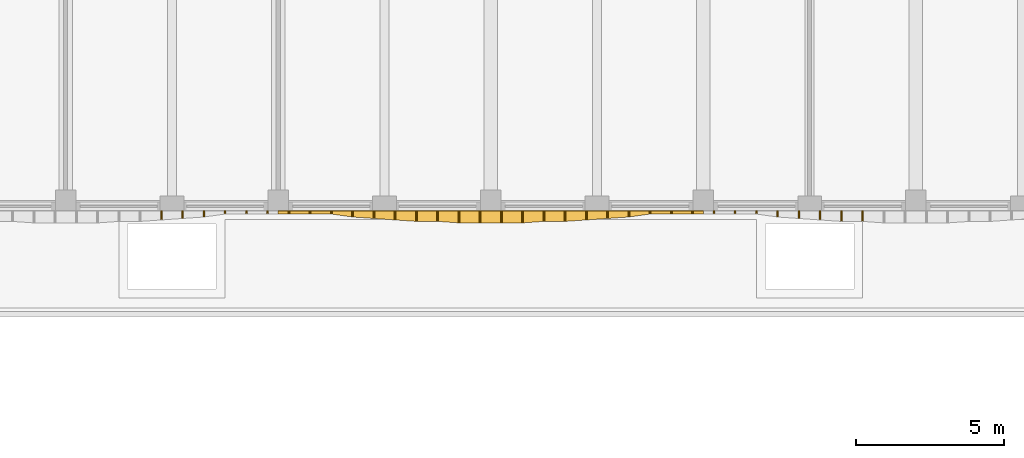
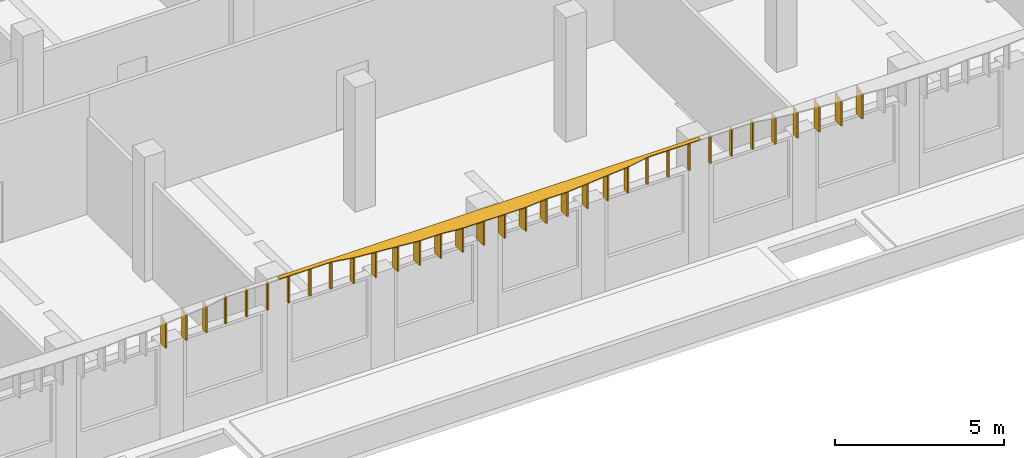
# One storey, part 48 of 59: 35 shading devices.
"""IFC4 building model written with IfcOpenShell, lengths in metres."""

from ifc_helpers import new_model, si_unit, direction, frame, origin, place, context, subcontext, project, spatial, polyline, outline, extrude, material, layer, layer_set, type_object, element, save


model = new_model("IFC4")

# Units and contexts
model_context = context("Model", 3, precision=1e-05, world=origin(), true_north=direction((0.0, 1.0)))
body_context = subcontext(model_context, "Body", "Model", "MODEL_VIEW")
ifc_project = project(units=[si_unit("LENGTHUNIT", "METRE"), si_unit("AREAUNIT", "SQUARE_METRE"), si_unit("VOLUMEUNIT", "CUBIC_METRE"), si_unit("PLANEANGLEUNIT", "RADIAN"), si_unit("MASSUNIT", "GRAM", prefix="KILO")], contexts=[model_context])

# Site, building, storey
site_placement = place(None, origin())
site = spatial("IfcSite", under=ifc_project, at=site_placement, CompositionType="ELEMENT")
building_placement = place(site_placement, origin())
building = spatial("IfcBuilding", under=site, at=building_placement, Name="Ussher Court Research Institute", CompositionType="ELEMENT")
storey_placement = place(building_placement, frame((0.0, 0.0, 5.39990234375)))
storey = spatial("IfcBuildingStorey", under=building, at=storey_placement, Name="L01", CompositionType="ELEMENT", Elevation=5.39990234375)

# Shading devices
ifc_material_1 = material(Name="Bronze anodised aluminium", Category="aluminium")
ifc_layer_1 = layer(ifc_material_1, 0.050048828125)
ifc_layer_set_1 = layer_set([ifc_layer_1], Name="Bronze anodised aluminium")
shading_device_type_1 = type_object("IfcShadingDeviceType", Name="Brim blade 100 mm deep 1000 mm high canted 20 deg dry", PredefinedType="USERDEFINED", material=ifc_layer_set_1)
for number, where, z_axis, x_axis, name in (
    (1, (55.199951171875, 68.39990234375, 3.4501953125), (0.0, 0.0, 1.0), (0.0, -1.0, 0.0), "Brim blade BS17 L01"),
    (2, (54.47998046875, 68.39990234375, 3.4501953125), (0.0, 0.0, 1.0), (0.0, -1.0, 0.0), "Brim blade BS17 L01"),
    (3, (53.760009765625, 68.39990234375, 3.4501953125), (0.0, 0.0, 1.0), (0.0, -1.0, 0.0), "Brim blade BS17 L01"),
    (4, (53.0400390625, 68.39990234375, 3.4501953125), (0.0, 0.0, 1.0), (0.0, -1.0, 0.0), "Brim blade BS17 L01"),
    (5, (52.320068359375, 68.39990234375, 3.4501953125), (0.0, 0.0, 1.0), (0.0, -1.0, 0.0), "Brim blade BS17 L01"),
    (6, (51.60009765625, 68.39990234375, 3.4501953125), (0.0, 0.0, 1.0), (0.0, -1.0, 0.0), "Brim blade BS17 L01"),
    (7, (40.800048828125, 68.39990234375, 3.4501953125), (0.0, 0.0, 1.0), (0.0, -1.0, 0.0), "Brim blade BS17 L01"),
    (8, (40.080078125, 68.39990234375, 3.4501953125), (0.0, 0.0, 1.0), (0.0, -1.0, 0.0), "Brim blade BS17 L01"),
    (9, (39.360107421875, 68.39990234375, 3.4501953125), (0.0, 0.0, 1.0), (0.0, -1.0, 0.0), "Brim blade BS17 L01"),
    (10, (38.639892578125, 68.39990234375, 3.4501953125), (0.0, 0.0, 1.0), (0.0, -1.0, 0.0), "Brim blade BS17 L01"),
    (11, (37.919921875, 68.39990234375, 3.4501953125), (0.0, 0.0, 1.0), (0.0, -1.0, 0.0), "Brim blade BS17 L01"),
    (12, (37.199951171875, 68.39990234375, 3.4501953125), (0.0, 0.0, 1.0), (0.0, -1.0, 0.0), "Brim blade BS17 L01"),
):
    element("IfcShadingDevice", number, at=place(storey_placement, frame(where, z_axis=z_axis, x_axis=x_axis)), inside=storey, type_object=shading_device_type_1, Name=name, ObjectType="BLADE", PredefinedType="USERDEFINED", context=body_context, shape_type="SweptSolid", body=[
        extrude(outline(polyline([(0.0, 0.0), (0.099853515625, 0.0), (0.10009765625, 0.963623046875), (0.0, 1.0), (0.0, 0.0)])), frame((0.0, 0.02490234375, 0.0), z_axis=(0.0, -1.0, 0.0), x_axis=(1.0, 0.0, 0.0)), (0.0, 0.0, 1.0), 0.050048828125),
    ])
ifc_material_2 = material(Name="Bronze anodised aluminium", Category="aluminium")
ifc_layer_2 = layer(ifc_material_2, 0.050048828125)
ifc_layer_set_2 = layer_set([ifc_layer_2], Name="Bronze anodised aluminium")
shading_device_type_2 = type_object("IfcShadingDeviceType", Name="Brim blade 200 mm deep 1000 mm high canted 20 deg dry", PredefinedType="USERDEFINED", material=ifc_layer_set_2)
for number, where, z_axis, x_axis, name in (
    (13, (55.919921875, 68.39990234375, 3.4501953125), (0.0, 0.0, 1.0), (0.0, -1.0, 0.0), "Brim blade BS15 L01"),
    (14, (50.8798828125, 68.39990234375, 3.4501953125), (0.0, 0.0, 1.0), (0.0, -1.0, 0.0), "Brim blade BS15 L01"),
    (15, (41.52001953125, 68.39990234375, 3.4501953125), (0.0, 0.0, 1.0), (0.0, -1.0, 0.0), "Brim blade BS15 L01"),
    (16, (36.47998046875, 68.39990234375, 3.4501953125), (0.0, 0.0, 1.0), (0.0, -1.0, 0.0), "Brim blade BS15 L01"),
):
    element("IfcShadingDevice", number, at=place(storey_placement, frame(where, z_axis=z_axis, x_axis=x_axis)), inside=storey, type_object=shading_device_type_2, Name=name, ObjectType="BLADE", PredefinedType="USERDEFINED", context=body_context, shape_type="SweptSolid", body=[
        extrude(outline(polyline([(0.0, 0.0), (0.199951171875, 0.0), (0.199951171875, 0.927001953125), (0.0, 1.0), (0.0, 0.0)])), frame((0.0, 0.02490234375, 0.0), z_axis=(0.0, -1.0, 0.0), x_axis=(1.0, 0.0, 0.0)), (0.0, 0.0, 1.0), 0.050048828125),
    ])
ifc_material_3 = material(Name="Bronze anodised aluminium", Category="aluminium")
ifc_layer_3 = layer(ifc_material_3, 0.050048828125)
ifc_layer_set_3 = layer_set([ifc_layer_3], Name="Bronze anodised aluminium")
shading_device_type_3 = type_object("IfcShadingDeviceType", Name="Brim blade 250 mm deep 1000 mm high canted 20 deg dry", PredefinedType="USERDEFINED", material=ifc_layer_set_3)
for number, where, z_axis, x_axis, name in (
    (17, (56.639892578125, 68.39990234375, 3.4501953125), (0.0, 0.0, 1.0), (0.0, -1.0, 0.0), "Brim blade BS14 L01"),
    (18, (50.159912109375, 68.39990234375, 3.4501953125), (0.0, 0.0, 1.0), (0.0, -1.0, 0.0), "Brim blade BS14 L01"),
    (19, (42.239990234375, 68.39990234375, 3.4501953125), (0.0, 0.0, 1.0), (0.0, -1.0, 0.0), "Brim blade BS14 L01"),
    (20, (35.760009765625, 68.39990234375, 3.4501953125), (0.0, 0.0, 1.0), (0.0, -1.0, 0.0), "Brim blade BS14 L01"),
):
    element("IfcShadingDevice", number, at=place(storey_placement, frame(where, z_axis=z_axis, x_axis=x_axis)), inside=storey, type_object=shading_device_type_3, Name=name, ObjectType="BLADE", PredefinedType="USERDEFINED", context=body_context, shape_type="SweptSolid", body=[
        extrude(outline(polyline([(0.0, 0.0), (0.25, 0.0), (0.25, 0.908935546875), (0.0, 1.0), (0.0, 0.0)])), frame((0.0, 0.02490234375, 0.0), z_axis=(0.0, -1.0, 0.0), x_axis=(1.0, 0.0, 0.0)), (0.0, 0.0, 1.0), 0.050048828125),
    ])
ifc_material_4 = material(Name="Bronze anodised aluminium", Category="aluminium")
ifc_layer_4 = layer(ifc_material_4, 0.050048828125)
ifc_layer_set_4 = layer_set([ifc_layer_4], Name="Bronze anodised aluminium")
shading_device_type_4 = type_object("IfcShadingDeviceType", Name="Brim blade 300 mm deep 1000 mm high canted 20 deg dry", PredefinedType="USERDEFINED", material=ifc_layer_set_4)
for number, where, z_axis, x_axis, name in (
    (21, (57.360107421875, 68.39990234375, 3.4501953125), (0.0, 0.0, 1.0), (0.0, -1.0, 0.0), "Brim blade BS13 L01"),
    (22, (49.43994140625, 68.39990234375, 3.4501953125), (0.0, 0.0, 1.0), (0.0, -1.0, 0.0), "Brim blade BS13 L01"),
    (23, (42.9599609375, 68.39990234375, 3.4501953125), (0.0, 0.0, 1.0), (0.0, -1.0, 0.0), "Brim blade BS13 L01"),
    (24, (35.0400390625, 68.39990234375, 3.4501953125), (0.0, 0.0, 1.0), (0.0, -1.0, 0.0), "Brim blade BS13 L01"),
):
    element("IfcShadingDevice", number, at=place(storey_placement, frame(where, z_axis=z_axis, x_axis=x_axis)), inside=storey, type_object=shading_device_type_4, Name=name, ObjectType="BLADE", PredefinedType="USERDEFINED", context=body_context, shape_type="SweptSolid", body=[
        extrude(outline(polyline([(0.0, 0.0), (0.2998046875, 0.0), (0.300048828125, 0.890625), (0.0, 1.0), (0.0, 0.0)])), frame((0.0, 0.02490234375, 0.0), z_axis=(0.0, -1.0, 0.0), x_axis=(1.0, 0.0, 0.0)), (0.0, 0.0, 1.0), 0.050048828125),
    ])
ifc_material_5 = material(Name="Bronze anodised aluminium", Category="aluminium")
ifc_layer_5 = layer(ifc_material_5, 0.050048828125)
ifc_layer_set_5 = layer_set([ifc_layer_5], Name="Bronze anodised aluminium")
shading_device_type_5 = type_object("IfcShadingDeviceType", Name="Brim blade 350 mm deep 1000 mm high canted 20 deg dry", PredefinedType="USERDEFINED", material=ifc_layer_set_5)
for number, where, z_axis, x_axis, name in (
    (25, (58.800048828125, 68.39990234375, 3.4501953125), (0.0, 0.0, 1.0), (0.0, -1.0, 0.0), "Brim blade BS12 L01"),
    (26, (58.080078125, 68.39990234375, 3.4501953125), (0.0, 0.0, 1.0), (0.0, -1.0, 0.0), "Brim blade BS12 L01"),
    (27, (48.719970703125, 68.39990234375, 3.4501953125), (0.0, 0.0, 1.0), (0.0, -1.0, 0.0), "Brim blade BS12 L01"),
    (28, (48.0, 68.39990234375, 3.4501953125), (0.0, 0.0, 1.0), (0.0, -1.0, 0.0), "Brim blade BS12 L01"),
    (29, (44.39990234375, 68.39990234375, 3.4501953125), (0.0, 0.0, 1.0), (0.0, -1.0, 0.0), "Brim blade BS12 L01"),
    (30, (43.679931640625, 68.39990234375, 3.4501953125), (0.0, 0.0, 1.0), (0.0, -1.0, 0.0), "Brim blade BS12 L01"),
):
    element("IfcShadingDevice", number, at=place(storey_placement, frame(where, z_axis=z_axis, x_axis=x_axis)), inside=storey, type_object=shading_device_type_5, Name=name, ObjectType="BLADE", PredefinedType="USERDEFINED", context=body_context, shape_type="SweptSolid", body=[
        extrude(outline(polyline([(0.0, 0.0), (0.349853515625, 0.0), (0.35009765625, 0.87255859375), (0.0, 1.0), (0.0, 0.0)])), frame((0.0, 0.02490234375, 0.0), z_axis=(0.0, -1.0, 0.0), x_axis=(1.0, 0.0, 0.0)), (0.0, 0.0, 1.0), 0.050048828125),
    ])
ifc_material_6 = material(Name="Bronze anodised aluminium", Category="aluminium")
ifc_layer_6 = layer(ifc_material_6, 0.050048828125)
ifc_layer_set_6 = layer_set([ifc_layer_6], Name="Bronze anodised aluminium")
shading_device_type_6 = type_object("IfcShadingDeviceType", Name="Brim blade 400 mm deep 1000 mm high canted 20 deg dry", PredefinedType="USERDEFINED", material=ifc_layer_set_6)
for number, where, z_axis, x_axis, name in (
    (31, (47.280029296875, 68.39990234375, 3.4501953125), (0.0, 0.0, 1.0), (0.0, -1.0, 0.0), "Brim blade BS11 L01"),
    (32, (46.56005859375, 68.39990234375, 3.4501953125), (0.0, 0.0, 1.0), (0.0, -1.0, 0.0), "Brim blade BS11 L01"),
    (33, (45.840087890625, 68.39990234375, 3.4501953125), (0.0, 0.0, 1.0), (0.0, -1.0, 0.0), "Brim blade BS11 L01"),
    (34, (45.1201171875, 68.39990234375, 3.4501953125), (0.0, 0.0, 1.0), (0.0, -1.0, 0.0), "Brim blade BS11 L01"),
):
    element("IfcShadingDevice", number, at=place(storey_placement, frame(where, z_axis=z_axis, x_axis=x_axis)), inside=storey, type_object=shading_device_type_6, Name=name, ObjectType="BLADE", PredefinedType="USERDEFINED", context=body_context, shape_type="SweptSolid", body=[
        extrude(outline(polyline([(0.0, 0.0), (0.39990234375, 0.0), (0.39990234375, 0.854248046875), (0.0, 1.0), (0.0, 0.0)])), frame((0.0, 0.02490234375, 0.0), z_axis=(0.0, -1.0, 0.0), x_axis=(1.0, 0.0, 0.0)), (0.0, 0.0, 1.0), 0.050048828125),
    ])
ifc_material_7 = material(Name="Bronze anodised aluminium", Category="aluminium")
ifc_layer_7 = layer(ifc_material_7, 0.0400390625)
ifc_layer_set_7 = layer_set([ifc_layer_7], Name="Bronze anodised aluminium")
shading_device_type_7 = type_object("IfcShadingDeviceType", Name="Brim visor sheet 40 mm canted 20 deg dry", PredefinedType="USERDEFINED", material=ifc_layer_set_7)
shading_device_placement = place(storey_placement, frame((53.39990234375, 68.38623046875, 4.48779296875), z_axis=(0.0, -0.342400477754, 0.939554103197), x_axis=(-1.0, 0.0, 0.0)))
element("IfcShadingDevice", 35, at=shading_device_placement, inside=storey, type_object=shading_device_type_7, Name="Brim visor sheet BR2 L01", ObjectType="BRIM", PredefinedType="USERDEFINED", context=body_context, shape_type="SweptSolid", body=[
    extrude(outline(polyline([(0.0, 0.0), (14.39990234375, 0.0), (14.39990234375, 0.10627326645332352), (14.039794921875, 0.10627326645332352), (13.31982421875, 0.10627326645332352), (12.599853515625, 0.10627326645332352), (11.8798828125, 0.21285951009926202), (11.159912109375, 0.26606903805559207), (10.43994140625, 0.31936215987856126), (9.719970703125, 0.3723423045089156), (9.0, 0.3723423045089156), (8.27978515625, 0.42563542633188484), (7.559814453125, 0.42563542633188484), (6.83984375, 0.42563542633188484), (6.119873046875, 0.42563542633188484), (5.39990234375, 0.3723423045089156), (4.679931640625, 0.3723423045089156), (3.9599609375, 0.31936215987856126), (3.239990234375, 0.26606903805559207), (2.52001953125, 0.21285951009926202), (1.7998046875, 0.10627326645332352), (1.079833984375, 0.10627326645332352), (0.35986328125, 0.10627326645332352), (0.0, 0.10627326645332352), (0.0, 0.0)])), origin(), (0.0, 0.0, -1.0), 0.0400390625),
])

save(model, "model.ifc")
